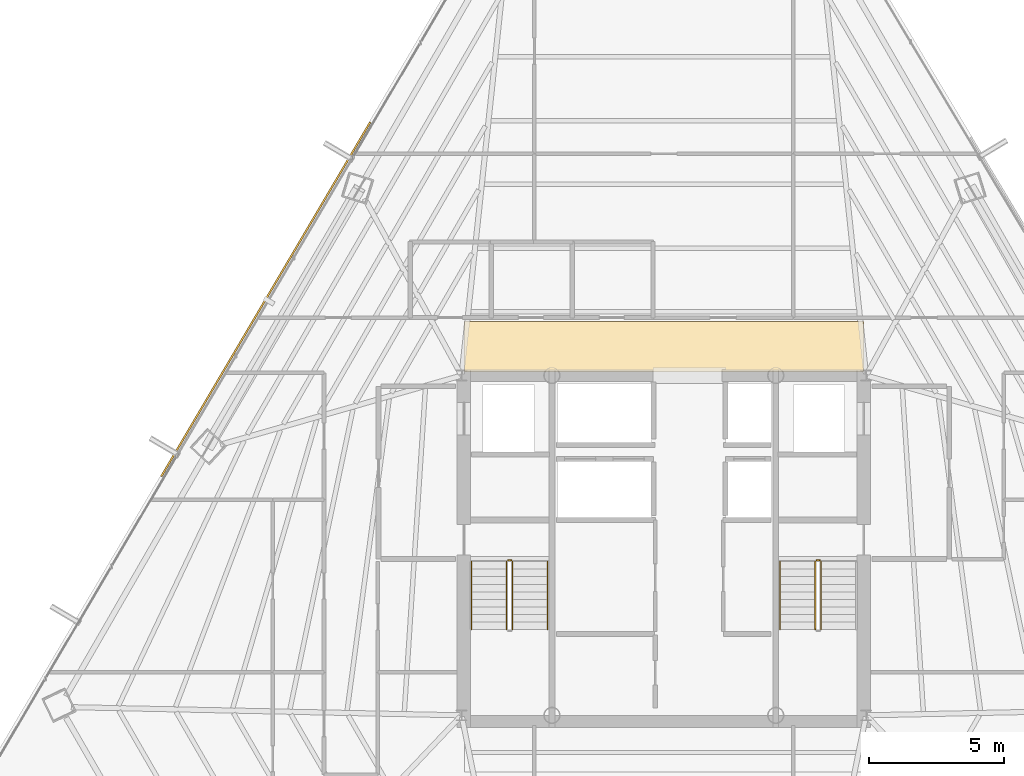
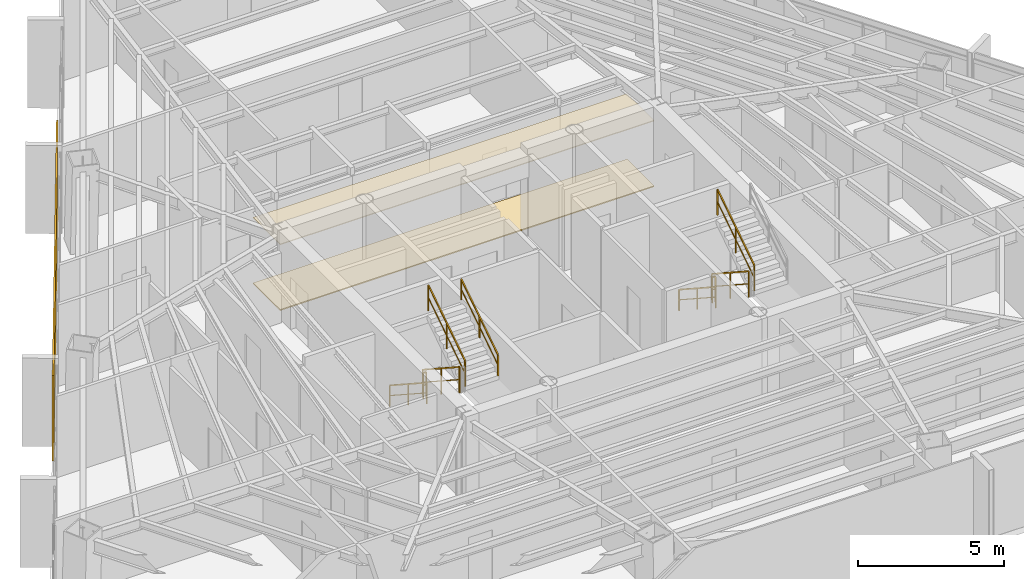
# One storey, part 40 of 41: 9 railings, 2 coverings, 1 shading device.
"""IFC4 building model written with IfcOpenShell, lengths in metres."""

from ifc_helpers import new_model, si_unit, direction, frame, origin, origin_2d, place, context, subcontext, project, spatial, polyline, rectangle, outline, extrude, source, transform, mapped, material, layer, layer_set, type_object, type_shapes, element, save


model = new_model("IFC4")

# Units and contexts
model_context = context("Model", 3, precision=1e-05, world=origin(), true_north=direction((0.0, 1.0)))
body_context = subcontext(model_context, "Body", "Model", "MODEL_VIEW")
ifc_project = project(units=[si_unit("LENGTHUNIT", "METRE"), si_unit("AREAUNIT", "SQUARE_METRE"), si_unit("VOLUMEUNIT", "CUBIC_METRE"), si_unit("PLANEANGLEUNIT", "RADIAN"), si_unit("MASSUNIT", "GRAM", prefix="KILO")], contexts=[model_context])

# Site, building, storey
site_placement = place(None, origin())
site = spatial("IfcSite", under=ifc_project, at=site_placement, CompositionType="ELEMENT")
building_placement = place(site_placement, origin())
building = spatial("IfcBuilding", under=site, at=building_placement, Name="Caelisora Broadcast Tower", CompositionType="ELEMENT")
storey_placement = place(building_placement, frame((0.0, 0.0, 173.10009765625)))
storey = spatial("IfcBuildingStorey", under=building, at=storey_placement, Name="L45", CompositionType="ELEMENT", Elevation=173.10009765625)

# Coverings
ifc_material_1 = material(Name="Perforated Mineral-Fibre Acoustic Ceiling Tile", Category="gypsum")
ifc_layer_1 = layer(ifc_material_1, 0.034912109375, Name="Perforated Mineral-Fibre Acoustic Ceiling Tile")
ifc_layer_set_1 = layer_set([ifc_layer_1], Name="Perforated Mineral-Fibre Acoustic Ceiling Tile")
covering_type_1 = type_object("IfcCoveringType", Name="CE-1", PredefinedType="CEILING", material=ifc_layer_set_1)
covering_1_placement = place(storey_placement, frame((0.0, 0.0, 2.75)))
element("IfcCovering", 1, at=covering_1_placement, inside=storey, type_object=covering_type_1, Name="L45 acoustic corridor ceiling CE-1 (N)", PredefinedType="CEILING", context=body_context, shape_type="SweptSolid", body=[
    extrude(outline(polyline([(30.60009765625, 30.14990234375), (45.39990234375, 30.14990234375), (45.39990234375, 32.0), (30.60009765625, 32.0), (30.60009765625, 30.14990234375)])), origin(), (0.0, 0.0, 1.0), 0.034912109375),
])
ifc_material_2 = material(Name="Anti-Static Broadcast Raised Access Floor Panel", Category="steel")
ifc_layer_2 = layer(ifc_material_2, 0.044921875, Name="Anti-Static Broadcast Raised Access Floor Panel")
ifc_layer_set_2 = layer_set([ifc_layer_2], Name="Anti-Static Broadcast Raised Access Floor Panel")
covering_type_2 = type_object("IfcCoveringType", Name="FL-1", PredefinedType="FLOORING", material=ifc_layer_set_2)
covering_2_placement = place(storey_placement, origin())
element("IfcCovering", 2, at=covering_2_placement, inside=storey, type_object=covering_type_2, Name="L45 broadcast raised access floor FL-1 (N)", PredefinedType="FLOORING", context=body_context, shape_type="SweptSolid", body=[
    extrude(outline(polyline([(30.60009765625, 30.14990234375), (45.39990234375, 30.14990234375), (45.39990234375, 32.0), (30.60009765625, 32.0), (30.60009765625, 30.14990234375)])), origin(), (0.0, 0.0, 1.0), 0.044921875),
])

# Railings
ifc_material_3 = material(Name="Galvanised Steel Safety Guardrail", Category="steel")
ifc_layer_3 = layer(ifc_material_3, 0.048095703125, Name="Galvanised Steel Safety Guardrail")
ifc_layer_set_3 = layer_set([ifc_layer_3], Name="Galvanised Steel Safety Guardrail")
railing_type_1 = type_object("IfcRailingType", Name="GR-1", PredefinedType="GUARDRAIL", material=ifc_layer_set_3)
railing_1_placement = place(storey_placement, frame((32.169921875, 23.10009765625, 0.182373046875)))
element("IfcRailing", 3, at=railing_1_placement, inside=storey, type_object=railing_type_1, Name="L45 ST-1 stair guard 1", PredefinedType="GUARDRAIL", context=body_context, shape_type="SweptSolid", body=[
    extrude(rectangle(XDim=0.048095703125, YDim=0.048095703125, at=origin_2d()), frame((0.0, 0.0, 1.076171875), z_axis=(0.0, -0.837749427056, 0.546054848405), x_axis=(1.0, 0.0, 0.0)), (0.0, 0.0, 1.0), 3.008056640625),
    extrude(rectangle(XDim=0.03125, YDim=0.03125, at=origin_2d()), frame((0.0, 0.0, 0.550048828125), z_axis=(0.0, -0.837749427056, 0.546054848405), x_axis=(1.0, 0.0, 0.0)), (0.0, 0.0, 1.0), 3.008056640625),
    extrude(rectangle(XDim=0.0419921875, YDim=0.0419921875, at=origin_2d()), origin(), (0.0, 0.0, 1.0), 1.052001953125),
    extrude(rectangle(XDim=0.0419921875, YDim=0.0419921875, at=origin_2d()), frame((0.0, -1.260009765625, 0.8212890625)), (0.0, 0.0, 1.0), 1.052001953125),
    extrude(rectangle(XDim=0.0419921875, YDim=0.0419921875, at=origin_2d()), frame((0.0, -2.52001953125, 1.642578125)), (0.0, 0.0, 1.0), 1.052001953125),
])
railing_2_placement = place(storey_placement, frame((32.389892578125, 20.580078125, 2.00732421875)))
element("IfcRailing", 4, at=railing_2_placement, inside=storey, type_object=railing_type_1, Name="L45 ST-1 stair guard 3", PredefinedType="GUARDRAIL", context=body_context, shape_type="SweptSolid", body=[
    extrude(rectangle(XDim=0.048095703125, YDim=0.048095703125, at=origin_2d()), frame((0.0, 0.0, 1.076171875), z_axis=(0.0, 0.837749427056, 0.546054848405), x_axis=(-1.0, 0.0, 0.0)), (0.0, 0.0, 1.0), 3.008056640625),
    extrude(rectangle(XDim=0.03125, YDim=0.03125, at=origin_2d()), frame((0.0, 0.0, 0.550048828125), z_axis=(0.0, 0.837749427056, 0.546054848405), x_axis=(-1.0, 0.0, 0.0)), (0.0, 0.0, 1.0), 3.008056640625),
    extrude(rectangle(XDim=0.0419921875, YDim=0.0419921875, at=origin_2d()), origin(), (0.0, 0.0, 1.0), 1.052001953125),
    extrude(rectangle(XDim=0.0419921875, YDim=0.0419921875, at=origin_2d()), frame((0.0, 1.260009765625, 0.8212890625)), (0.0, 0.0, 1.0), 1.052001953125),
    extrude(rectangle(XDim=0.0419921875, YDim=0.0419921875, at=origin_2d()), frame((0.0, 2.52001953125, 1.642578125)), (0.0, 0.0, 1.0), 1.052001953125),
])
railing_3_placement = place(storey_placement, frame((32.219970703125, 23.14990234375, 0.0)))
element("IfcRailing", 5, at=railing_3_placement, inside=storey, type_object=railing_type_1, Name="L45 ST-1 stair guard 4", PredefinedType="GUARDRAIL", context=body_context, shape_type="SweptSolid", body=[
    extrude(rectangle(XDim=0.048095703125, YDim=0.048095703125, at=origin_2d()), frame((0.0, 0.0, 1.076171875), z_axis=(1.0, 0.0, 0.0), x_axis=(0.0, 1.0, 0.0)), (0.0, 0.0, 1.0), 0.1201171875),
    extrude(rectangle(XDim=0.03125, YDim=0.03125, at=origin_2d()), frame((0.0, 0.0, 0.550048828125), z_axis=(1.0, 0.0, 0.0), x_axis=(0.0, 1.0, 0.0)), (0.0, 0.0, 1.0), 0.1201171875),
    extrude(rectangle(XDim=0.0419921875, YDim=0.0419921875, at=origin_2d()), origin(), (0.0, 0.0, 1.0), 1.052001953125),
    extrude(rectangle(XDim=0.0419921875, YDim=0.0419921875, at=origin_2d()), frame((0.1201171875, 0.0, 0.0)), (0.0, 0.0, 1.0), 1.052001953125),
])
railing_4_placement = place(storey_placement, frame((43.610107421875, 23.10009765625, 0.182373046875)))
element("IfcRailing", 6, at=railing_4_placement, inside=storey, type_object=railing_type_1, Name="L45 ST-2 stair guard 1", PredefinedType="GUARDRAIL", context=body_context, shape_type="SweptSolid", body=[
    extrude(rectangle(XDim=0.048095703125, YDim=0.048095703125, at=origin_2d()), frame((0.0, 0.0, 1.076171875), z_axis=(0.0, -0.837749427056, 0.546054848405), x_axis=(1.0, 0.0, 0.0)), (0.0, 0.0, 1.0), 3.008056640625),
    extrude(rectangle(XDim=0.03125, YDim=0.03125, at=origin_2d()), frame((0.0, 0.0, 0.550048828125), z_axis=(0.0, -0.837749427056, 0.546054848405), x_axis=(1.0, 0.0, 0.0)), (0.0, 0.0, 1.0), 3.008056640625),
    extrude(rectangle(XDim=0.0419921875, YDim=0.0419921875, at=origin_2d()), origin(), (0.0, 0.0, 1.0), 1.052001953125),
    extrude(rectangle(XDim=0.0419921875, YDim=0.0419921875, at=origin_2d()), frame((0.0, -1.260009765625, 0.8212890625)), (0.0, 0.0, 1.0), 1.052001953125),
    extrude(rectangle(XDim=0.0419921875, YDim=0.0419921875, at=origin_2d()), frame((0.0, -2.52001953125, 1.642578125)), (0.0, 0.0, 1.0), 1.052001953125),
])
railing_5_placement = place(storey_placement, frame((43.830078125, 20.580078125, 2.00732421875)))
element("IfcRailing", 7, at=railing_5_placement, inside=storey, type_object=railing_type_1, Name="L45 ST-2 stair guard 3", PredefinedType="GUARDRAIL", context=body_context, shape_type="SweptSolid", body=[
    extrude(rectangle(XDim=0.048095703125, YDim=0.048095703125, at=origin_2d()), frame((0.0, 0.0, 1.076171875), z_axis=(0.0, 0.837749427056, 0.546054848405), x_axis=(-1.0, 0.0, 0.0)), (0.0, 0.0, 1.0), 3.008056640625),
    extrude(rectangle(XDim=0.03125, YDim=0.03125, at=origin_2d()), frame((0.0, 0.0, 0.550048828125), z_axis=(0.0, 0.837749427056, 0.546054848405), x_axis=(-1.0, 0.0, 0.0)), (0.0, 0.0, 1.0), 3.008056640625),
    extrude(rectangle(XDim=0.0419921875, YDim=0.0419921875, at=origin_2d()), origin(), (0.0, 0.0, 1.0), 1.052001953125),
    extrude(rectangle(XDim=0.0419921875, YDim=0.0419921875, at=origin_2d()), frame((0.0, 1.260009765625, 0.8212890625)), (0.0, 0.0, 1.0), 1.052001953125),
    extrude(rectangle(XDim=0.0419921875, YDim=0.0419921875, at=origin_2d()), frame((0.0, 2.52001953125, 1.642578125)), (0.0, 0.0, 1.0), 1.052001953125),
])
railing_6_placement = place(storey_placement, frame((43.659912109375, 23.14990234375, 0.0)))
element("IfcRailing", 8, at=railing_6_placement, inside=storey, type_object=railing_type_1, Name="L45 ST-2 stair guard 4", PredefinedType="GUARDRAIL", context=body_context, shape_type="SweptSolid", body=[
    extrude(rectangle(XDim=0.048095703125, YDim=0.048095703125, at=origin_2d()), frame((0.0, 0.0, 1.076171875), z_axis=(1.0, 0.0, 0.0), x_axis=(0.0, 1.0, 0.0)), (0.0, 0.0, 1.0), 0.1201171875),
    extrude(rectangle(XDim=0.03125, YDim=0.03125, at=origin_2d()), frame((0.0, 0.0, 0.550048828125), z_axis=(1.0, 0.0, 0.0), x_axis=(0.0, 1.0, 0.0)), (0.0, 0.0, 1.0), 0.1201171875),
    extrude(rectangle(XDim=0.0419921875, YDim=0.0419921875, at=origin_2d()), origin(), (0.0, 0.0, 1.0), 1.052001953125),
    extrude(rectangle(XDim=0.0419921875, YDim=0.0419921875, at=origin_2d()), frame((0.1201171875, 0.0, 0.0)), (0.0, 0.0, 1.0), 1.052001953125),
])
ifc_material_4 = material(Name="Stainless Steel Grade 316 Tubular Handrail", Category="steel")
ifc_layer_4 = layer(ifc_material_4, 0.048095703125, Name="Stainless Steel Grade 316 Tubular Handrail")
ifc_layer_set_4 = layer_set([ifc_layer_4], Name="Stainless Steel Grade 316 Tubular Handrail")
railing_type_2 = type_object("IfcRailingType", Name="HR-1", PredefinedType="HANDRAIL", material=ifc_layer_set_4)
railing_7_placement = place(storey_placement, frame((30.8701171875, 23.10009765625, 0.182373046875)))
element("IfcRailing", 9, at=railing_7_placement, inside=storey, type_object=railing_type_2, Name="L45 ST-1 stair handrail 1", PredefinedType="HANDRAIL", context=body_context, shape_type="SweptSolid", body=[
    extrude(rectangle(XDim=0.048095703125, YDim=0.048095703125, at=origin_2d()), frame((0.0, 0.0, 0.8759765625), z_axis=(0.0, -0.837749427056, 0.546054848405), x_axis=(1.0, 0.0, 0.0)), (0.0, 0.0, 1.0), 3.008056640625),
    extrude(rectangle(XDim=0.03125, YDim=0.03125, at=origin_2d()), frame((0.0, 0.0, 0.449951171875), z_axis=(0.0, -0.837749427056, 0.546054848405), x_axis=(1.0, 0.0, 0.0)), (0.0, 0.0, 1.0), 3.008056640625),
    extrude(rectangle(XDim=0.0419921875, YDim=0.0419921875, at=origin_2d()), origin(), (0.0, 0.0, 1.0), 0.851806640625),
    extrude(rectangle(XDim=0.0419921875, YDim=0.0419921875, at=origin_2d()), frame((0.0, -1.260009765625, 0.8212890625)), (0.0, 0.0, 1.0), 0.851806640625),
    extrude(rectangle(XDim=0.0419921875, YDim=0.0419921875, at=origin_2d()), frame((0.0, -2.52001953125, 1.642578125)), (0.0, 0.0, 1.0), 0.851806640625),
])
railing_8_placement = place(storey_placement, frame((33.68994140625, 20.580078125, 2.00732421875)))
element("IfcRailing", 10, at=railing_8_placement, inside=storey, type_object=railing_type_2, Name="L45 ST-1 stair handrail 2", PredefinedType="HANDRAIL", context=body_context, shape_type="SweptSolid", body=[
    extrude(rectangle(XDim=0.048095703125, YDim=0.048095703125, at=origin_2d()), frame((0.0, 0.0, 0.8759765625), z_axis=(0.0, 0.837749427056, 0.546054848405), x_axis=(-1.0, 0.0, 0.0)), (0.0, 0.0, 1.0), 3.008056640625),
    extrude(rectangle(XDim=0.03125, YDim=0.03125, at=origin_2d()), frame((0.0, 0.0, 0.449951171875), z_axis=(0.0, 0.837749427056, 0.546054848405), x_axis=(-1.0, 0.0, 0.0)), (0.0, 0.0, 1.0), 3.008056640625),
    extrude(rectangle(XDim=0.0419921875, YDim=0.0419921875, at=origin_2d()), origin(), (0.0, 0.0, 1.0), 0.851806640625),
    extrude(rectangle(XDim=0.0419921875, YDim=0.0419921875, at=origin_2d()), frame((0.0, 1.260009765625, 0.8212890625)), (0.0, 0.0, 1.0), 0.851806640625),
    extrude(rectangle(XDim=0.0419921875, YDim=0.0419921875, at=origin_2d()), frame((0.0, 2.52001953125, 1.642578125)), (0.0, 0.0, 1.0), 0.851806640625),
])
railing_9_placement = place(storey_placement, frame((42.31005859375, 23.10009765625, 0.182373046875)))
element("IfcRailing", 11, at=railing_9_placement, inside=storey, type_object=railing_type_2, Name="L45 ST-2 stair handrail 1", PredefinedType="HANDRAIL", context=body_context, shape_type="SweptSolid", body=[
    extrude(rectangle(XDim=0.048095703125, YDim=0.048095703125, at=origin_2d()), frame((0.0, 0.0, 0.8759765625), z_axis=(0.0, -0.837749427056, 0.546054848405), x_axis=(1.0, 0.0, 0.0)), (0.0, 0.0, 1.0), 3.008056640625),
    extrude(rectangle(XDim=0.03125, YDim=0.03125, at=origin_2d()), frame((0.0, 0.0, 0.449951171875), z_axis=(0.0, -0.837749427056, 0.546054848405), x_axis=(1.0, 0.0, 0.0)), (0.0, 0.0, 1.0), 3.008056640625),
    extrude(rectangle(XDim=0.0419921875, YDim=0.0419921875, at=origin_2d()), origin(), (0.0, 0.0, 1.0), 0.851806640625),
    extrude(rectangle(XDim=0.0419921875, YDim=0.0419921875, at=origin_2d()), frame((0.0, -1.260009765625, 0.8212890625)), (0.0, 0.0, 1.0), 0.851806640625),
    extrude(rectangle(XDim=0.0419921875, YDim=0.0419921875, at=origin_2d()), frame((0.0, -2.52001953125, 1.642578125)), (0.0, 0.0, 1.0), 0.851806640625),
])

# Shading device
ifc_material_5 = material(Name="Perforated Glazed Terracotta Baguette Solar Screen", Category="ceramic")
ifc_layer_5 = layer(ifc_material_5, 0.06494140625, Name="Perforated Glazed Terracotta Baguette Solar Screen")
ifc_layer_set_5 = layer_set([ifc_layer_5], Name="Perforated Glazed Terracotta Baguette Solar Screen")
shading_device_type = type_object("IfcShadingDeviceType", Name="SS-1", PredefinedType="USERDEFINED", material=ifc_layer_set_5)
shared_shape = source(origin(), body_context, "Body", "SweptSolid", [
    extrude(rectangle(XDim=15.24609375, YDim=0.06494140625, at=origin_2d()), origin(), (0.0, 0.0, 1.0), 3.590087890625),
])
type_shapes(shading_device_type, [shared_shape])
shading_device_placement = place(storey_placement, frame((23.240966796875, 32.82763671875, 0.0), z_axis=(0.0, 0.0, 1.0), x_axis=(-0.507989441341, -0.861363295878, 0.0)))
element("IfcShadingDevice", 12, at=shading_device_placement, inside=storey, type_object=shading_device_type, Name="L45 perforated terracotta solar screen #1", ObjectType="SOLAR SCREEN", PredefinedType="USERDEFINED", context=body_context, shape_type="MappedRepresentation", body=[
    mapped(shared_shape, transform((0.0, 0.0, 0.0), scale=1.0)),
])

save(model, "model.ifc")
